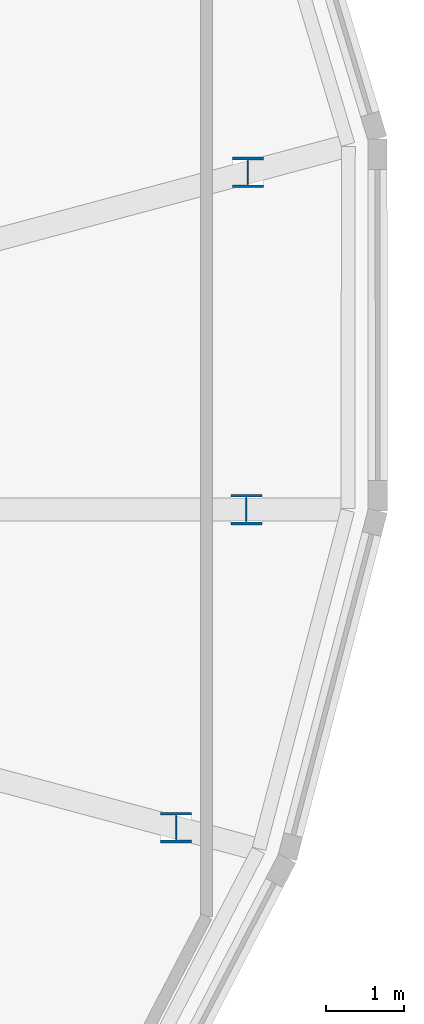
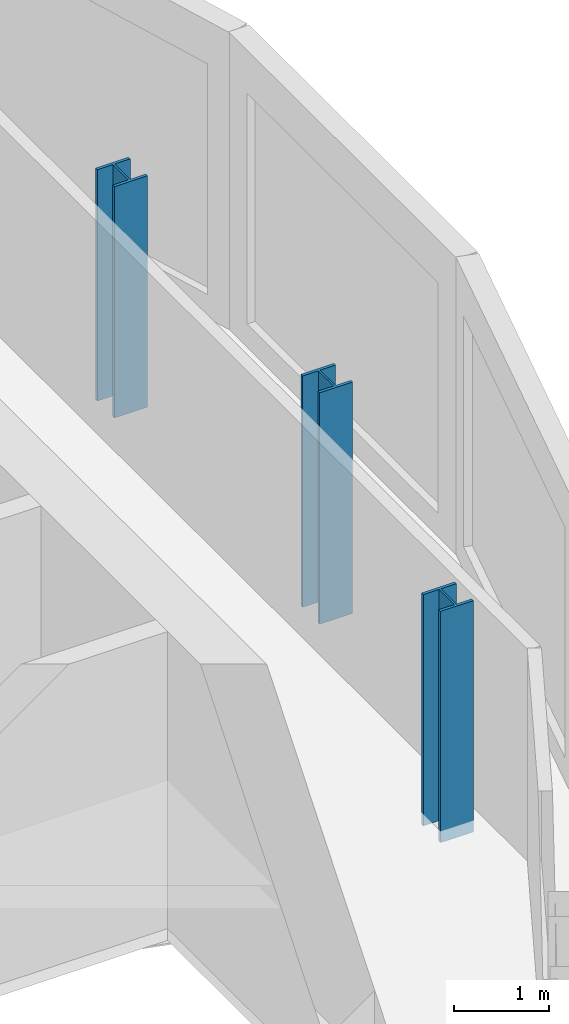
# One storey, part 2 of 38: 3 columns.
"""IFC4 building model written with IfcOpenShell, lengths in metres."""

from ifc_helpers import new_model, si_unit, direction, frame, origin, origin_2d, place, context, subcontext, project, spatial, i_section, extrude, material, material_profile, profile_set, type_object, element, save


model = new_model("IFC4")

# Units and contexts
model_context = context("Model", 3, precision=1e-05, world=origin(), true_north=direction((0.0, 1.0)))
body_context = subcontext(model_context, "Body", "Model", "MODEL_VIEW")
ifc_project = project(units=[si_unit("LENGTHUNIT", "METRE"), si_unit("AREAUNIT", "SQUARE_METRE"), si_unit("VOLUMEUNIT", "CUBIC_METRE"), si_unit("PLANEANGLEUNIT", "RADIAN"), si_unit("MASSUNIT", "GRAM", prefix="KILO")], contexts=[model_context])

# Site, building, storey
site_placement = place(None, origin())
site = spatial("IfcSite", under=ifc_project, at=site_placement, CompositionType="ELEMENT")
building_placement = place(site_placement, origin())
building = spatial("IfcBuilding", under=site, at=building_placement, Name="Rimbun Link Towers", CompositionType="ELEMENT")
storey_placement = place(building_placement, frame((0.0, 0.0, 158.89990234375)))
storey = spatial("IfcBuildingStorey", under=building, at=storey_placement, Name="L38", CompositionType="ELEMENT", Elevation=158.89990234375)

# Columns
ifc_material = material(Name="Steel S355J2", Category="steel")
ifc_material_profile = material_profile(ifc_material, i_section(OverallWidth=0.39892578125, OverallDepth=0.3935546875, WebThickness=0.022705078125, FlangeThickness=0.03662109375, at=origin_2d()), Name="UC 356x406x287")
ifc_profile_set = profile_set([ifc_material_profile], Name="Steel S355J2")
column_type = type_object("IfcColumnType", Name="UC 356x406x287", PredefinedType="COLUMN", material=ifc_profile_set)
for number, where, z_axis, x_axis, name in (
    (1, (47.01513671875, -4.09033203125, -0.14990234375), (0.0, 0.0, 1.0), (1.0, 0.0, 0.0), "Crease post T2 L38 20"),
    (2, (47.916748046875, 0.0, -0.14990234375), (0.0, 0.0, 1.0), (1.0, 0.0, 0.0), "Crease post T2 L38 21"),
    (3, (47.93603515625, 4.337158203125, -0.14990234375), (0.0, 0.0, 1.0), (1.0, 0.0, 0.0), "Crease post T2 L38 22"),
):
    element("IfcColumn", number, at=place(storey_placement, frame(where, z_axis=z_axis, x_axis=x_axis)), inside=storey, type_object=column_type, Name=name, PredefinedType="COLUMN", context=body_context, shape_type="SweptSolid", body=[
        extrude(i_section(OverallWidth=0.39892578125, OverallDepth=0.3935546875, WebThickness=0.022705078125, FlangeThickness=0.03662109375, at=origin_2d()), origin(), (0.0, 0.0, 1.0), 2.959228515625),
    ])

save(model, "model.ifc")
